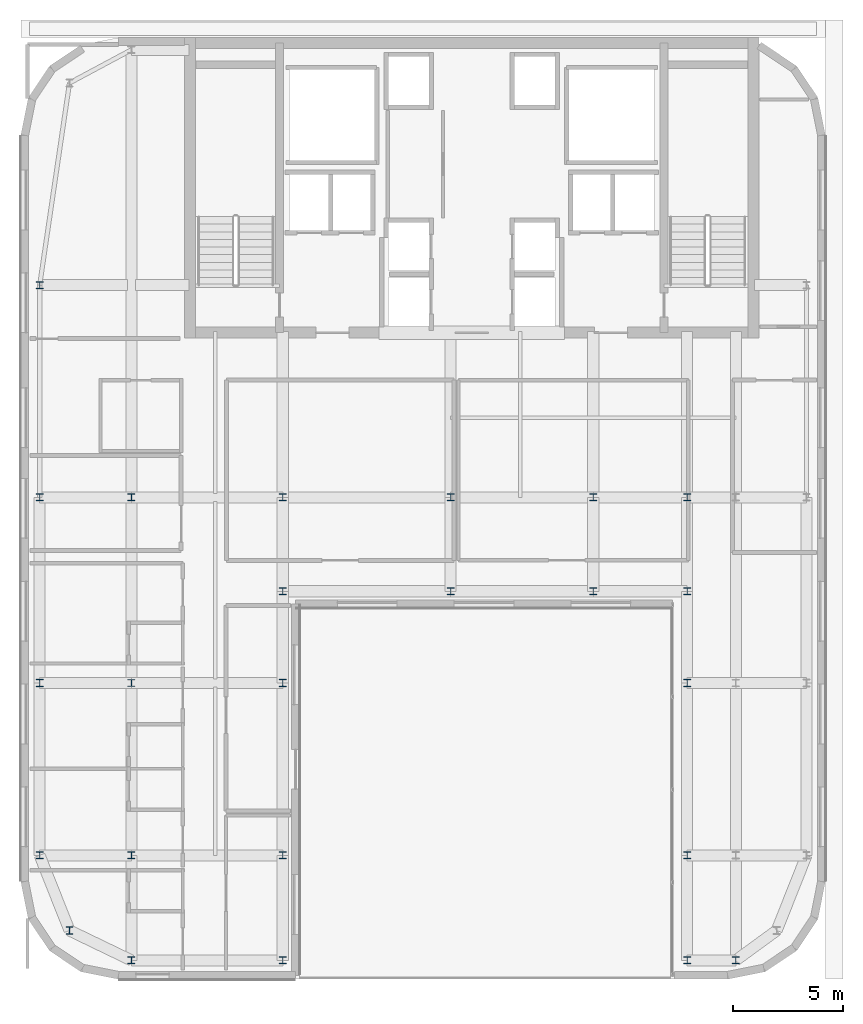
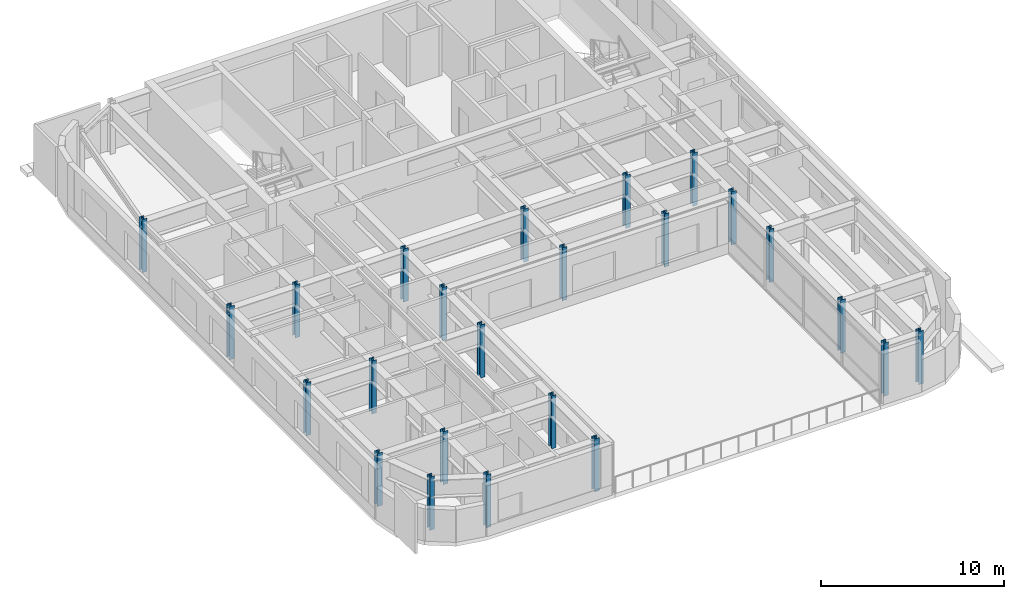
# One storey, part 1 of 16: 24 columns.
"""IFC4 building model written with IfcOpenShell, lengths in metres."""

from ifc_helpers import new_model, si_unit, direction, frame, origin, origin_2d, place, context, subcontext, project, spatial, i_section, extrude, source, transform, mapped, material, material_profile, profile_set, type_object, type_shapes, element, save


model = new_model("IFC4")

# Units and contexts
model_context = context("Model", 3, precision=1e-05, world=origin(), true_north=direction((0.0, 1.0)))
body_context = subcontext(model_context, "Body", "Model", "MODEL_VIEW")
ifc_project = project(units=[si_unit("LENGTHUNIT", "METRE"), si_unit("AREAUNIT", "SQUARE_METRE"), si_unit("VOLUMEUNIT", "CUBIC_METRE"), si_unit("PLANEANGLEUNIT", "RADIAN"), si_unit("MASSUNIT", "GRAM", prefix="KILO")], contexts=[model_context])

# Site, building, storey
site_placement = place(None, origin())
site = spatial("IfcSite", under=ifc_project, at=site_placement, CompositionType="ELEMENT")
building_placement = place(site_placement, origin())
building = spatial("IfcBuilding", under=site, at=building_placement, Name="Tolvann Quenvar Hotel", CompositionType="ELEMENT")
storey_placement = place(building_placement, frame((0.0, 0.0, 241.64990234375)))
storey = spatial("IfcBuildingStorey", under=building, at=storey_placement, Name="L64", CompositionType="ELEMENT", Elevation=241.64990234375)

# Columns
ifc_material = material(Name="Steel Grade 350", Category="steel")
ifc_material_profile_1 = material_profile(ifc_material, i_section(OverallWidth=0.30908203125, OverallDepth=0.321044921875, WebThickness=0.013916015625, FlangeThickness=0.021728515625, FilletRadius=0.0166015625, at=origin_2d()), Name="310UC137")
ifc_profile_set_1 = profile_set([ifc_material_profile_1], Name="Steel Grade 350")
column_type_1 = type_object("IfcColumnType", Name="COL_310UC137", PredefinedType="COLUMN", material=ifc_profile_set_1)
shared_shape_1 = source(origin(), body_context, "Body", "SweptSolid", [
    extrude(i_section(OverallWidth=0.30908203125, OverallDepth=0.321044921875, WebThickness=0.013916015625, FlangeThickness=0.021728515625, FilletRadius=0.0166015625, at=origin_2d()), origin(), (0.0, 0.0, 1.0), 3.550048828125),
])
type_shapes(column_type_1, [shared_shape_1])
for number, where, z_axis, x_axis, name in (
    (1, (4.800048828125, 4.800048828125, 0.0), (0.0, 0.0, 1.0), (1.0, 0.0, 0.0), "Column B2 (L64)"),
    (2, (3.449951171875, 8.199951171875, 0.0), (0.0, 0.0, 1.0), (1.0, 0.0, 0.0), "Column B3 (L64)"),
    (3, (3.449951171875, 16.0, 0.0), (0.0, 0.0, 1.0), (1.0, 0.0, 0.0), "Column B4 (L64)"),
    (4, (7.60009765625, 3.449951171875, 0.0), (0.0, 0.0, 1.0), (1.0, 0.0, 0.0), "Column C2 (L64)"),
    (5, (14.449951171875, 3.449951171875, 0.0), (0.0, 0.0, 1.0), (1.0, 0.0, 0.0), "Column D2 (L64)"),
    (6, (14.449951171875, 8.199951171875, 0.0), (0.0, 0.0, 1.0), (1.0, 0.0, 0.0), "Column D3 (L64)"),
    (7, (14.449951171875, 16.0, 0.0), (0.0, 0.0, 1.0), (1.0, 0.0, 0.0), "Column D4 (L64)"),
    (8, (32.75, 3.449951171875, 0.0), (0.0, 0.0, 1.0), (1.0, 0.0, 0.0), "Column FP2 (L64)"),
    (9, (32.75, 8.199951171875, 0.0), (0.0, 0.0, 1.0), (1.0, 0.0, 0.0), "Column FP3 (L64)"),
    (10, (32.75, 16.0, 0.0), (0.0, 0.0, 1.0), (1.0, 0.0, 0.0), "Column FP4 (L64)"),
    (11, (34.949951171875, 3.449951171875, 0.0), (0.0, 0.0, 1.0), (1.0, 0.0, 0.0), "Column F2 (L64)"),
    (12, (3.449951171875, 24.39990234375, 0.0), (0.0, 0.0, 1.0), (1.0, 0.0, 0.0), "Column B5 (L64)"),
    (13, (14.449951171875, 20.14990234375, 0.0), (0.0, 0.0, 1.0), (1.0, 0.0, 0.0), "Column D4P (L64)"),
    (14, (22.050048828125, 20.14990234375, 0.0), (0.0, 0.0, 1.0), (1.0, 0.0, 0.0), "Column E4P (L64)"),
    (15, (28.5, 20.14990234375, 0.0), (0.0, 0.0, 1.0), (1.0, 0.0, 0.0), "Column M4P (L64)"),
    (16, (32.75, 20.14990234375, 0.0), (0.0, 0.0, 1.0), (1.0, 0.0, 0.0), "Column FP4P (L64)"),
    (17, (3.449951171875, 34.0, 0.0), (0.0, 0.0, 1.0), (1.0, 0.0, 0.0), "Column BD6 (L64)"),
):
    element("IfcColumn", number, at=place(storey_placement, frame(where, z_axis=z_axis, x_axis=x_axis)), inside=storey, type_object=column_type_1, Name=name, PredefinedType="COLUMN", context=body_context, shape_type="MappedRepresentation", body=[
        mapped(shared_shape_1, transform((0.0, 0.0, 0.0), x_axis=(1.0, 0.0, 0.0), y_axis=(0.0, 1.0, 0.0), z_axis=(0.0, 0.0, 1.0), scale=1.0)),
    ])
ifc_material_profile_2 = material_profile(ifc_material, i_section(OverallWidth=0.306884765625, OverallDepth=0.31494140625, WebThickness=0.011962890625, FlangeThickness=0.018798828125, FilletRadius=0.0166015625, at=origin_2d()), Name="310UC118")
ifc_profile_set_2 = profile_set([ifc_material_profile_2], Name="Steel Grade 350")
column_type_2 = type_object("IfcColumnType", Name="COL_310UC118", PredefinedType="COLUMN", material=ifc_profile_set_2)
shared_shape_2 = source(origin(), body_context, "Body", "SweptSolid", [
    extrude(i_section(OverallWidth=0.306884765625, OverallDepth=0.31494140625, WebThickness=0.011962890625, FlangeThickness=0.018798828125, FilletRadius=0.0166015625, at=origin_2d()), origin(), (0.0, 0.0, 1.0), 3.550048828125),
])
type_shapes(column_type_2, [shared_shape_2])
for number, where, z_axis, x_axis, name in (
    (18, (7.60009765625, 8.199951171875, 0.0), (0.0, 0.0, 1.0), (1.0, 0.0, 0.0), "Column C3 (L64)"),
    (19, (7.60009765625, 16.0, 0.0), (0.0, 0.0, 1.0), (1.0, 0.0, 0.0), "Column C4 (L64)"),
    (20, (7.60009765625, 24.39990234375, 0.0), (0.0, 0.0, 1.0), (1.0, 0.0, 0.0), "Column C5 (L64)"),
    (21, (14.449951171875, 24.39990234375, 0.0), (0.0, 0.0, 1.0), (1.0, 0.0, 0.0), "Column D5 (L64)"),
    (22, (22.050048828125, 24.39990234375, 0.0), (0.0, 0.0, 1.0), (1.0, 0.0, 0.0), "Column E5 (L64)"),
    (23, (28.5, 24.39990234375, 0.0), (0.0, 0.0, 1.0), (1.0, 0.0, 0.0), "Column M5 (L64)"),
    (24, (32.75, 24.39990234375, 0.0), (0.0, 0.0, 1.0), (1.0, 0.0, 0.0), "Column FP5 (L64)"),
):
    element("IfcColumn", number, at=place(storey_placement, frame(where, z_axis=z_axis, x_axis=x_axis)), inside=storey, type_object=column_type_2, Name=name, PredefinedType="COLUMN", context=body_context, shape_type="MappedRepresentation", body=[
        mapped(shared_shape_2, transform((0.0, 0.0, 0.0), x_axis=(1.0, 0.0, 0.0), y_axis=(0.0, 1.0, 0.0), z_axis=(0.0, 0.0, 1.0), scale=1.0)),
    ])

save(model, "model.ifc")
